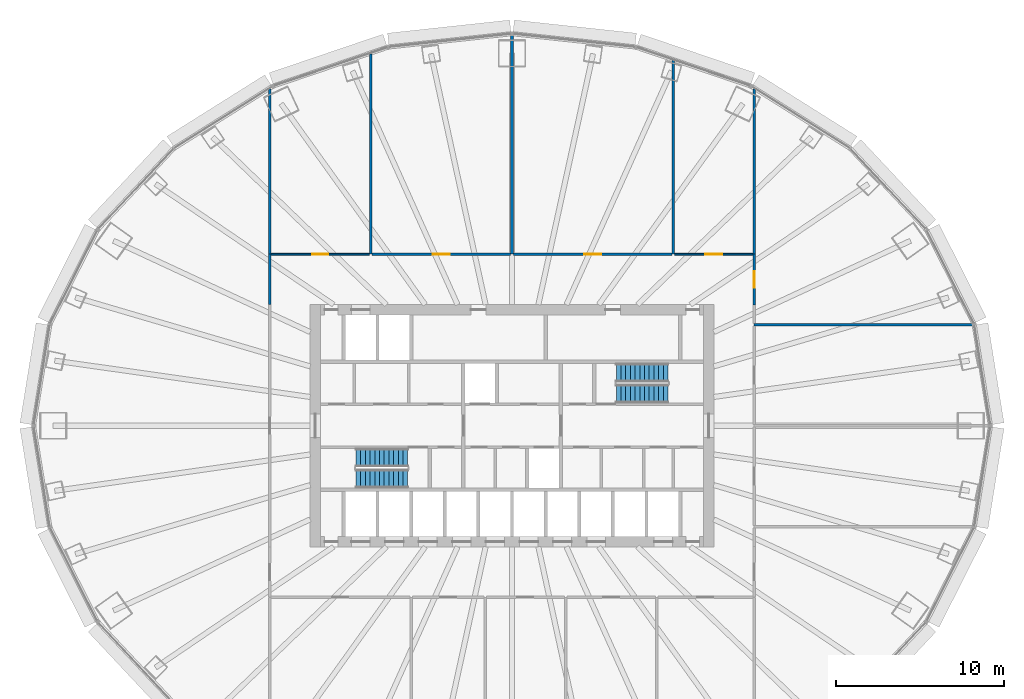
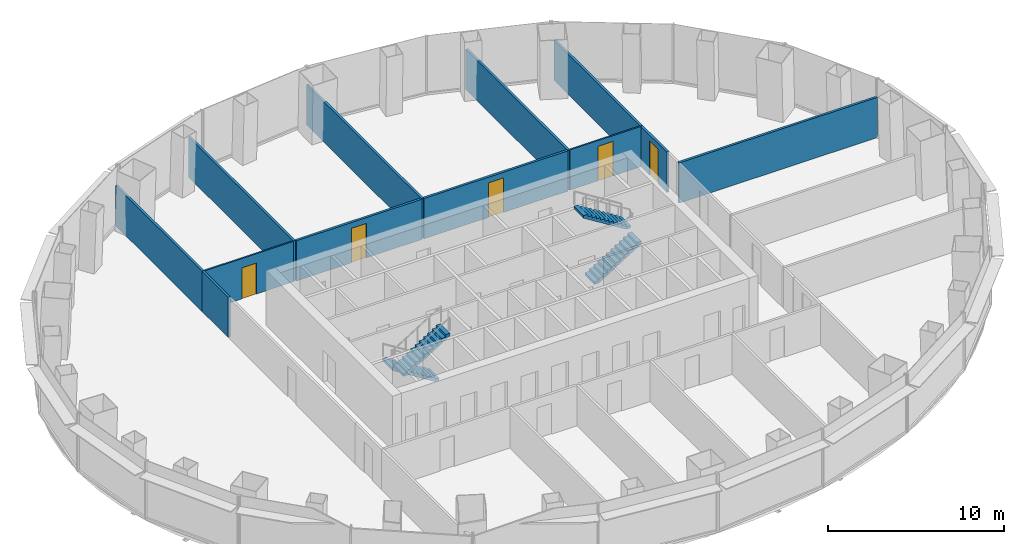
# One storey, part 9 of 13: 12 walls, 5 doors, 4 stair flights, 5 openings, 2 elements without a shape of their own.
"""IFC4 building model written with IfcOpenShell, lengths in metres."""

from ifc_helpers import new_model, si_unit, direction, frame, frame_2d, origin, place, context, subcontext, project, spatial, polyline, rectangle, outline, extrude, material, layer, layer_set, type_object, element, fill, aggregate, save


model = new_model("IFC4")

# Units and contexts
model_context = context("Model", 3, precision=1e-05, world=origin(), true_north=direction((0.0, 1.0)))
body_context = subcontext(model_context, "Body", "Model", "MODEL_VIEW")
ifc_project = project(units=[si_unit("LENGTHUNIT", "METRE"), si_unit("AREAUNIT", "SQUARE_METRE"), si_unit("VOLUMEUNIT", "CUBIC_METRE"), si_unit("PLANEANGLEUNIT", "RADIAN"), si_unit("MASSUNIT", "GRAM", prefix="KILO")], contexts=[model_context])

# Site, building, storey
site_placement = place(None, origin())
site = spatial("IfcSite", under=ifc_project, at=site_placement, CompositionType="ELEMENT")
building_placement = place(site_placement, origin())
building = spatial("IfcBuilding", under=site, at=building_placement, Name="Siaravel Broadcast Tower", CompositionType="ELEMENT")
storey_placement = place(building_placement, frame((0.0, 0.0, 32.89990234375)))
storey = spatial("IfcBuildingStorey", under=building, at=storey_placement, Name="L06", CompositionType="ELEMENT", Elevation=32.89990234375)

# Wall, opening, door
ifc_material_1 = material(Name="Gypsum board partition", Category="gypsum")
ifc_layer_1 = layer(ifc_material_1, 0.14990234375)
ifc_layer_set_1 = layer_set([ifc_layer_1], Name="Gypsum board partition")
wall_type_1 = type_object("IfcWallType", Name="Corridor wall 150", PredefinedType="PARTITIONING", material=ifc_layer_set_1)
wall_1_placement = place(storey_placement, frame((9.52294921875, 10.199951171875, 0.0), z_axis=(0.0, 0.0, 1.0), x_axis=(-1.0, 0.0, 0.0)))
wall_1 = element("IfcWall", 1, at=wall_1_placement, inside=storey, type_object=wall_type_1, Name="L06 partition 16", PredefinedType="PARTITIONING", context=body_context, shape_type="SweptSolid", body=[
    extrude(rectangle(XDim=9.446044921875, YDim=0.14990234375, at=frame_2d((4.72314453125, 0.0))), origin(), (0.0, 0.0, 1.0), 2.800048828125),
])
opening_1_placement = place(wall_1_placement, frame((4.222900390625, 0.0, 0.0)))
opening_1 = element("IfcOpeningElement", 2, at=opening_1_placement, cuts=wall_1, Name="Opening L06-009", PredefinedType="OPENING", context=body_context, shape_type="SweptSolid", body=[
    extrude(rectangle(XDim=1.0, YDim=2.39990234375, at=frame_2d((0.5, 1.199951171875))), frame((0.0, 0.0849609375, 0.0), z_axis=(0.0, -1.0, 0.0), x_axis=(1.0, 0.0, 0.0)), (0.0, 0.0, 1.0), 0.169921875),
])
ifc_material_2 = material(Name="Timber veneer", Category="wood")
door_type_1 = type_object("IfcDoorType", Name="Executive office door 1000", OperationType="SINGLE_SWING_LEFT", PredefinedType="DOOR", material=ifc_material_2)
door_1_placement = place(opening_1_placement, origin())
door_1 = element("IfcDoor", 3, at=door_1_placement, inside=storey, type_object=door_type_1, Name="L06 door to Executive office", OperationType="SINGLE_SWING_LEFT", OverallHeight=2.39990234375, OverallWidth=1.0, PredefinedType="DOOR", context=body_context, shape_type="SweptSolid", body=[
    extrude(rectangle(XDim=1.0, YDim=2.39990234375, at=frame_2d((0.5, 1.199951171875))), frame((0.0, 0.02490234375, 0.0), z_axis=(0.0, -1.0, 0.0), x_axis=(1.0, 0.0, 0.0)), (0.0, 0.0, 1.0), 0.050048828125),
])
fill(opening_1, door_1)

wall_2_placement = place(storey_placement, frame((-0.076904296875, 10.199951171875, 0.0), z_axis=(0.0, 0.0, 1.0), x_axis=(-1.0, 0.0, 0.0)))
wall_2 = element("IfcWall", 4, at=wall_2_placement, inside=storey, type_object=wall_type_1, Name="L06 partition 18", PredefinedType="PARTITIONING", context=body_context, shape_type="SweptSolid", body=[
    extrude(rectangle(XDim=8.24609375, YDim=0.14990234375, at=frame_2d((4.123046875, 0.0))), origin(), (0.0, 0.0, 1.0), 2.800048828125),
])
opening_2_placement = place(wall_2_placement, frame((3.623046875, 0.0, 0.0)))
opening_2 = element("IfcOpeningElement", 5, at=opening_2_placement, cuts=wall_2, Name="Opening L06-008", PredefinedType="OPENING", context=body_context, shape_type="SweptSolid", body=[
    extrude(rectangle(XDim=1.0, YDim=2.39990234375, at=frame_2d((0.5, 1.199951171875))), frame((0.0, 0.0849609375, 0.0), z_axis=(0.0, -1.0, 0.0), x_axis=(1.0, 0.0, 0.0)), (0.0, 0.0, 1.0), 0.169921875),
])
door_2_placement = place(opening_2_placement, origin())
door_2 = element("IfcDoor", 6, at=door_2_placement, inside=storey, type_object=door_type_1, Name="L06 door to Executive office", OperationType="SINGLE_SWING_RIGHT", OverallHeight=2.39990234375, OverallWidth=1.0, PredefinedType="DOOR", context=body_context, shape_type="SweptSolid", body=[
    extrude(rectangle(XDim=1.0, YDim=2.39990234375, at=frame_2d((0.5, 1.199951171875))), frame((0.0, 0.02490234375, 0.0), z_axis=(0.0, -1.0, 0.0), x_axis=(1.0, 0.0, 0.0)), (0.0, 0.0, 1.0), 0.050048828125),
])
fill(opening_2, door_2)

# Wall
wall_3_placement = place(storey_placement, frame((-14.39990234375, 10.198974609375, 0.0), z_axis=(0.0, 0.0, 1.0), x_axis=(0.0, -1.0, 0.0)))
element("IfcWall", 7, at=wall_3_placement, inside=storey, type_object=wall_type_1, Name="L06 partition 28", PredefinedType="PARTITIONING", context=body_context, shape_type="SweptSolid", body=[
    extrude(rectangle(XDim=2.986083984375, YDim=0.14990234375, at=frame_2d((1.4931640625, 0.0))), origin(), (0.0, 0.0, 1.0), 2.800048828125),
])

# Wall, opening, door
wall_4_placement = place(storey_placement, frame((14.39990234375, 7.18798828125, 0.0), z_axis=(0.0, 0.0, 1.0), x_axis=(0.0, 1.0, 0.0)))
wall_4 = element("IfcWall", 8, at=wall_4_placement, inside=storey, type_object=wall_type_1, Name="L06 partition 30", PredefinedType="PARTITIONING", context=body_context, shape_type="SweptSolid", body=[
    extrude(rectangle(XDim=3.010986328125, YDim=0.14990234375, at=frame_2d((1.50537109375, 0.0))), origin(), (0.0, 0.0, 1.0), 2.800048828125),
])
opening_3_placement = place(wall_4_placement, frame((1.005615234375, 0.0, 0.0)))
opening_3 = element("IfcOpeningElement", 9, at=opening_3_placement, cuts=wall_4, Name="Opening L06-006", PredefinedType="OPENING", context=body_context, shape_type="SweptSolid", body=[
    extrude(rectangle(XDim=1.0, YDim=2.39990234375, at=frame_2d((0.5, 1.199951171875))), frame((0.0, 0.0849609375, 0.0), z_axis=(0.0, -1.0, 0.0), x_axis=(1.0, 0.0, 0.0)), (0.0, 0.0, 1.0), 0.169921875),
])
door_3_placement = place(opening_3_placement, origin())
door_3 = element("IfcDoor", 10, at=door_3_placement, inside=storey, type_object=door_type_1, Name="L06 door to Executive office", OperationType="SINGLE_SWING_RIGHT", OverallHeight=2.39990234375, OverallWidth=1.0, PredefinedType="DOOR", context=body_context, shape_type="SweptSolid", body=[
    extrude(rectangle(XDim=1.0, YDim=2.39990234375, at=frame_2d((0.5, 1.199951171875))), frame((0.0, 0.02490234375, 0.0), z_axis=(0.0, -1.0, 0.0), x_axis=(1.0, 0.0, 0.0)), (0.0, 0.0, 1.0), 0.050048828125),
])
fill(opening_3, door_3)

ifc_material_3 = material(Name="Glazed aluminium partition", Category="aluminium")
ifc_layer_2 = layer(ifc_material_3, 0.10009765625)
ifc_layer_set_2 = layer_set([ifc_layer_2], Name="Glazed aluminium partition")
wall_type_2 = type_object("IfcWallType", Name="Glazed meeting room partition 100", PredefinedType="PARTITIONING", material=ifc_layer_set_2)
wall_5_placement = place(storey_placement, frame((-8.47705078125, 10.199951171875, 0.0), z_axis=(0.0, 0.0, 1.0), x_axis=(-1.0, 0.0, 0.0)))
wall_5 = element("IfcWall", 11, at=wall_5_placement, inside=storey, type_object=wall_type_2, Name="L06 partition 19", PredefinedType="PARTITIONING", context=body_context, shape_type="SweptSolid", body=[
    extrude(rectangle(XDim=5.845947265625, YDim=0.10009765625, at=frame_2d((2.9228515625, 0.0))), origin(), (0.0, 0.0, 1.0), 2.800048828125),
])
opening_4_placement = place(wall_5_placement, frame((2.447998046875, 0.0, 0.0)))
opening_4 = element("IfcOpeningElement", 12, at=opening_4_placement, cuts=wall_5, Name="Opening L06-007", PredefinedType="OPENING", context=body_context, shape_type="SweptSolid", body=[
    extrude(rectangle(XDim=0.949951171875, YDim=2.14990234375, at=frame_2d((0.47509765625, 1.074951171875))), frame((0.0, 0.06005859375, 0.0), z_axis=(0.0, -1.0, 0.0), x_axis=(1.0, 0.0, 0.0)), (0.0, 0.0, 1.0), 0.1201171875),
])
door_type_2 = type_object("IfcDoorType", Name="Office door 950", OperationType="SINGLE_SWING_LEFT", PredefinedType="DOOR", material=ifc_material_2)
door_4_placement = place(opening_4_placement, origin())
door_4 = element("IfcDoor", 13, at=door_4_placement, inside=storey, type_object=door_type_2, Name="L06 door to Boardroom", OperationType="SINGLE_SWING_LEFT", OverallHeight=2.14990234375, OverallWidth=0.949951171875, PredefinedType="DOOR", context=body_context, shape_type="SweptSolid", body=[
    extrude(rectangle(XDim=0.949951171875, YDim=2.14990234375, at=frame_2d((0.47509765625, 1.074951171875))), frame((0.0, 0.02490234375, 0.0), z_axis=(0.0, -1.0, 0.0), x_axis=(1.0, 0.0, 0.0)), (0.0, 0.0, 1.0), 0.050048828125),
])
fill(opening_4, door_4)

wall_6_placement = place(storey_placement, frame((14.322998046875, 10.199951171875, 0.0), z_axis=(0.0, 0.0, 1.0), x_axis=(-1.0, 0.0, 0.0)))
wall_6 = element("IfcWall", 14, at=wall_6_placement, inside=storey, type_object=wall_type_2, Name="L06 partition 25", PredefinedType="PARTITIONING", context=body_context, shape_type="SweptSolid", body=[
    extrude(rectangle(XDim=4.64599609375, YDim=0.10009765625, at=frame_2d((2.322998046875, 0.0))), origin(), (0.0, 0.0, 1.0), 2.800048828125),
])
opening_5_placement = place(wall_6_placement, frame((1.822998046875, 0.0, 0.0)))
opening_5 = element("IfcOpeningElement", 15, at=opening_5_placement, cuts=wall_6, Name="Opening L06-010", PredefinedType="OPENING", context=body_context, shape_type="SweptSolid", body=[
    extrude(rectangle(XDim=1.0, YDim=2.39990234375, at=frame_2d((0.5, 1.199951171875))), frame((0.0, 0.06005859375, 0.0), z_axis=(0.0, -1.0, 0.0), x_axis=(1.0, 0.0, 0.0)), (0.0, 0.0, 1.0), 0.1201171875),
])
door_5_placement = place(opening_5_placement, origin())
door_5 = element("IfcDoor", 16, at=door_5_placement, inside=storey, type_object=door_type_1, Name="L06 door to Executive meeting room", OperationType="SINGLE_SWING_RIGHT", OverallHeight=2.39990234375, OverallWidth=1.0, PredefinedType="DOOR", context=body_context, shape_type="SweptSolid", body=[
    extrude(rectangle(XDim=1.0, YDim=2.39990234375, at=frame_2d((0.5, 1.199951171875))), frame((0.0, 0.02490234375, 0.0), z_axis=(0.0, -1.0, 0.0), x_axis=(1.0, 0.0, 0.0)), (0.0, 0.0, 1.0), 0.050048828125),
])
fill(opening_5, door_5)

# Walls
ifc_layer_3 = layer(ifc_material_1, 0.14990234375)
ifc_layer_set_3 = layer_set([ifc_layer_3], Name="Gypsum board partition")
wall_type_3 = type_object("IfcWallType", Name="Room partition 150", PredefinedType="PARTITIONING", material=ifc_layer_set_3)
wall_7_placement = place(storey_placement, frame((0.0, 10.199951171875, 0.0), z_axis=(0.0, 0.0, 1.0), x_axis=(0.0, 1.0, 0.0)))
element("IfcWall", 17, at=wall_7_placement, inside=storey, type_object=wall_type_3, Name="L06 partition 3", PredefinedType="PARTITIONING", context=body_context, shape_type="SweptSolid", body=[
    extrude(rectangle(XDim=13.065673828125, YDim=0.14990234375, at=frame_2d((6.53271484375, 0.0))), origin(), (0.0, 0.0, 1.0), 2.800048828125),
])
wall_8_placement = place(storey_placement, frame((27.439208984375, 6.0, 0.0), z_axis=(0.0, 0.0, 1.0), x_axis=(-1.0, 0.0, 0.0)))
element("IfcWall", 18, at=wall_8_placement, inside=storey, type_object=wall_type_3, Name="L06 partition 5", PredefinedType="PARTITIONING", context=body_context, shape_type="SweptSolid", body=[
    extrude(rectangle(XDim=13.039306640625, YDim=0.14990234375, at=frame_2d((6.51953125, 0.0))), origin(), (0.0, 0.0, 1.0), 2.800048828125),
])
wall_9_placement = place(storey_placement, frame((-8.39990234375, 10.199951171875, 0.0), z_axis=(0.0, 0.0, 1.0), x_axis=(0.0, 1.0, 0.0)))
element("IfcWall", 19, at=wall_9_placement, inside=storey, type_object=wall_type_3, Name="L06 partition 9", PredefinedType="PARTITIONING", context=body_context, shape_type="SweptSolid", body=[
    extrude(rectangle(XDim=11.919677734375, YDim=0.14990234375, at=frame_2d((5.9599609375, 0.0))), origin(), (0.0, 0.0, 1.0), 2.800048828125),
])
wall_10_placement = place(storey_placement, frame((9.60009765625, 10.199951171875, 0.0), z_axis=(0.0, 0.0, 1.0), x_axis=(0.0, 1.0, 0.0)))
element("IfcWall", 20, at=wall_10_placement, inside=storey, type_object=wall_type_3, Name="L06 partition 11", PredefinedType="PARTITIONING", context=body_context, shape_type="SweptSolid", body=[
    extrude(rectangle(XDim=11.568359375, YDim=0.14990234375, at=frame_2d((5.7841796875, 0.0))), origin(), (0.0, 0.0, 1.0), 2.800048828125),
])
for number, where, z_axis, x_axis, name in (
    (21, (-14.39990234375, 10.199951171875, 0.0), (0.0, 0.0, 1.0), (0.0, 1.0, 0.0), "L06 partition 13"),
    (22, (14.39990234375, 20.03271484375, 0.0), (0.0, 0.0, 1.0), (0.0, -1.0, 0.0), "L06 partition 15"),
):
    element("IfcWall", number, at=place(storey_placement, frame(where, z_axis=z_axis, x_axis=x_axis)), inside=storey, type_object=wall_type_3, Name=name, PredefinedType="PARTITIONING", context=body_context, shape_type="SweptSolid", body=[
        extrude(rectangle(XDim=9.832763671875, YDim=0.14990234375, at=frame_2d((4.91650390625, 0.0))), origin(), (0.0, 0.0, 1.0), 2.800048828125),
    ])

# Stair, stair flights
ifc_material_4 = material(Name="Concrete C40/50", Category="concrete")
stair_type = type_object("IfcStairType", Name="Core exit stair", PredefinedType="HALF_TURN_STAIR", material=ifc_material_4)
stair_1_placement = place(storey_placement, origin())
stair_1 = element("IfcStair", 23, at=stair_1_placement, inside=storey, type_object=stair_type, Name="L06 Exit stair ST-1", PredefinedType="HALF_TURN_STAIR")
stair_flight_type = type_object("IfcStairFlightType", Name="Stair flight 1100", PredefinedType="STRAIGHT", material=ifc_material_4)
stair_flight_1_placement = place(storey_placement, frame((-6.199951171875, -1.89990234375, 0.0), z_axis=(0.0, 0.0, 1.0), x_axis=(-1.0, 0.0, 0.0)))
stair_flight_1 = element("IfcStairFlight", 24, at=stair_flight_1_placement, type_object=stair_flight_type, Name="ST-1 flight 1", NumberOfRisers=12, NumberOfTreads=11, PredefinedType="STRAIGHT", RiserHeight=0.175, TreadLength=0.28, context=body_context, shape_type="SweptSolid", body=[
    extrude(outline(polyline([(0.0, 0.0), (0.0, 0.175048828125), (0.280029296875, 0.175048828125), (0.280029296875, 0.35009765625), (0.56005859375, 0.35009765625), (0.56005859375, 0.52490234375), (0.840087890625, 0.52490234375), (0.840087890625, 0.699951171875), (1.1201171875, 0.699951171875), (1.1201171875, 0.875), (1.39990234375, 0.875), (1.39990234375, 1.050048828125), (1.679931640625, 1.050048828125), (1.679931640625, 1.22509765625), (1.9599609375, 1.22509765625), (1.9599609375, 1.39990234375), (2.239990234375, 1.39990234375), (2.239990234375, 1.574951171875), (2.52001953125, 1.574951171875), (2.52001953125, 1.75), (2.800048828125, 1.75), (2.800048828125, 1.925048828125), (3.080078125, 1.925048828125), (3.080078125, 2.10009765625), (3.080078125, 1.748291015625), (0.28271484375, 0.0), (0.0, 0.0)])), frame((0.0, 0.550048828125, 0.0), z_axis=(0.0, -1.0, 0.0), x_axis=(1.0, 0.0, 0.0)), (0.0, 0.0, 1.0), 1.10009765625),
])
stair_flight_2_placement = place(storey_placement, frame((-9.280029296875, -3.14990234375, 2.10009765625), z_axis=(0.0, 0.0, 1.0), x_axis=(1.0, 0.0, 0.0)))
stair_flight_2 = element("IfcStairFlight", 25, at=stair_flight_2_placement, type_object=stair_flight_type, Name="ST-1 flight 2", NumberOfRisers=12, NumberOfTreads=11, PredefinedType="STRAIGHT", RiserHeight=0.175, TreadLength=0.28, context=body_context, shape_type="SweptSolid", body=[
    extrude(outline(polyline([(0.0, 0.0), (0.0, 0.175048828125), (0.280029296875, 0.175048828125), (0.280029296875, 0.35009765625), (0.56005859375, 0.35009765625), (0.56005859375, 0.52490234375), (0.840087890625, 0.52490234375), (0.840087890625, 0.699951171875), (1.1201171875, 0.699951171875), (1.1201171875, 0.875), (1.39990234375, 0.875), (1.39990234375, 1.050048828125), (1.679931640625, 1.050048828125), (1.679931640625, 1.22509765625), (1.9599609375, 1.22509765625), (1.9599609375, 1.39990234375), (2.239990234375, 1.39990234375), (2.239990234375, 1.574951171875), (2.52001953125, 1.574951171875), (2.52001953125, 1.75), (2.800048828125, 1.75), (2.800048828125, 1.925048828125), (3.080078125, 1.925048828125), (3.080078125, 2.10009765625), (3.080078125, 1.748291015625), (0.28271484375, 0.0), (0.0, 0.0)])), frame((0.0, 0.550048828125, 0.0), z_axis=(0.0, -1.0, 0.0), x_axis=(1.0, 0.0, 0.0)), (0.0, 0.0, 1.0), 1.10009765625),
])
aggregate(stair_1, [stair_flight_1, stair_flight_2])

stair_2_placement = place(storey_placement, origin())
stair_2 = element("IfcStair", 26, at=stair_2_placement, inside=storey, type_object=stair_type, Name="L06 Exit stair ST-2", PredefinedType="HALF_TURN_STAIR")
stair_flight_3_placement = place(storey_placement, frame((6.199951171875, 1.89990234375, 0.0), z_axis=(0.0, 0.0, 1.0), x_axis=(1.0, 0.0, 0.0)))
stair_flight_3 = element("IfcStairFlight", 27, at=stair_flight_3_placement, type_object=stair_flight_type, Name="ST-2 flight 1", NumberOfRisers=12, NumberOfTreads=11, PredefinedType="STRAIGHT", RiserHeight=0.175, TreadLength=0.28, context=body_context, shape_type="SweptSolid", body=[
    extrude(outline(polyline([(0.0, 0.0), (0.0, 0.175048828125), (0.280029296875, 0.175048828125), (0.280029296875, 0.35009765625), (0.56005859375, 0.35009765625), (0.56005859375, 0.52490234375), (0.840087890625, 0.52490234375), (0.840087890625, 0.699951171875), (1.1201171875, 0.699951171875), (1.1201171875, 0.875), (1.39990234375, 0.875), (1.39990234375, 1.050048828125), (1.679931640625, 1.050048828125), (1.679931640625, 1.22509765625), (1.9599609375, 1.22509765625), (1.9599609375, 1.39990234375), (2.239990234375, 1.39990234375), (2.239990234375, 1.574951171875), (2.52001953125, 1.574951171875), (2.52001953125, 1.75), (2.800048828125, 1.75), (2.800048828125, 1.925048828125), (3.080078125, 1.925048828125), (3.080078125, 2.10009765625), (3.080078125, 1.748291015625), (0.28271484375, 0.0), (0.0, 0.0)])), frame((0.0, 0.550048828125, 0.0), z_axis=(0.0, -1.0, 0.0), x_axis=(1.0, 0.0, 0.0)), (0.0, 0.0, 1.0), 1.10009765625),
])
stair_flight_4_placement = place(storey_placement, frame((9.280029296875, 3.14990234375, 2.10009765625), z_axis=(0.0, 0.0, 1.0), x_axis=(-1.0, 0.0, 0.0)))
stair_flight_4 = element("IfcStairFlight", 28, at=stair_flight_4_placement, type_object=stair_flight_type, Name="ST-2 flight 2", NumberOfRisers=12, NumberOfTreads=11, PredefinedType="STRAIGHT", RiserHeight=0.175, TreadLength=0.28, context=body_context, shape_type="SweptSolid", body=[
    extrude(outline(polyline([(0.0, 0.0), (0.0, 0.175048828125), (0.280029296875, 0.175048828125), (0.280029296875, 0.35009765625), (0.56005859375, 0.35009765625), (0.56005859375, 0.52490234375), (0.840087890625, 0.52490234375), (0.840087890625, 0.699951171875), (1.1201171875, 0.699951171875), (1.1201171875, 0.875), (1.39990234375, 0.875), (1.39990234375, 1.050048828125), (1.679931640625, 1.050048828125), (1.679931640625, 1.22509765625), (1.9599609375, 1.22509765625), (1.9599609375, 1.39990234375), (2.239990234375, 1.39990234375), (2.239990234375, 1.574951171875), (2.52001953125, 1.574951171875), (2.52001953125, 1.75), (2.800048828125, 1.75), (2.800048828125, 1.925048828125), (3.080078125, 1.925048828125), (3.080078125, 2.10009765625), (3.080078125, 1.748291015625), (0.28271484375, 0.0), (0.0, 0.0)])), frame((0.0, 0.550048828125, 0.0), z_axis=(0.0, -1.0, 0.0), x_axis=(1.0, 0.0, 0.0)), (0.0, 0.0, 1.0), 1.10009765625),
])
aggregate(stair_2, [stair_flight_3, stair_flight_4])

save(model, "model.ifc")
